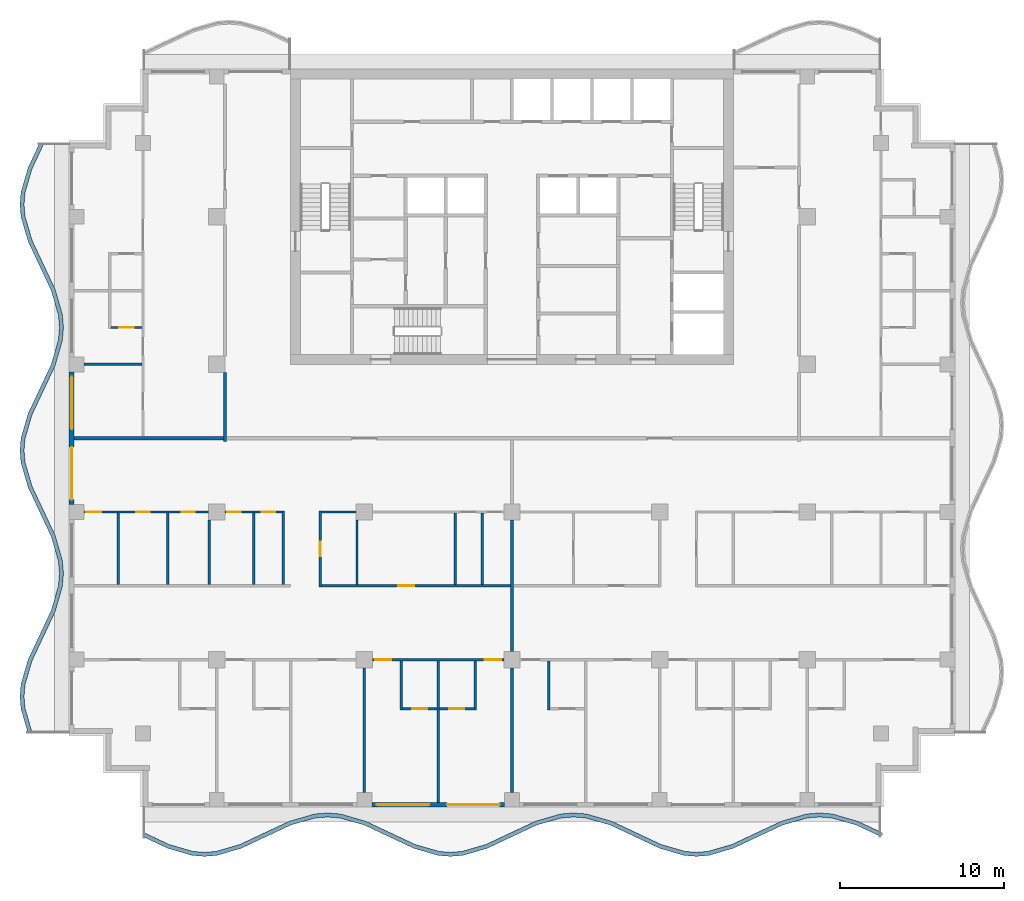
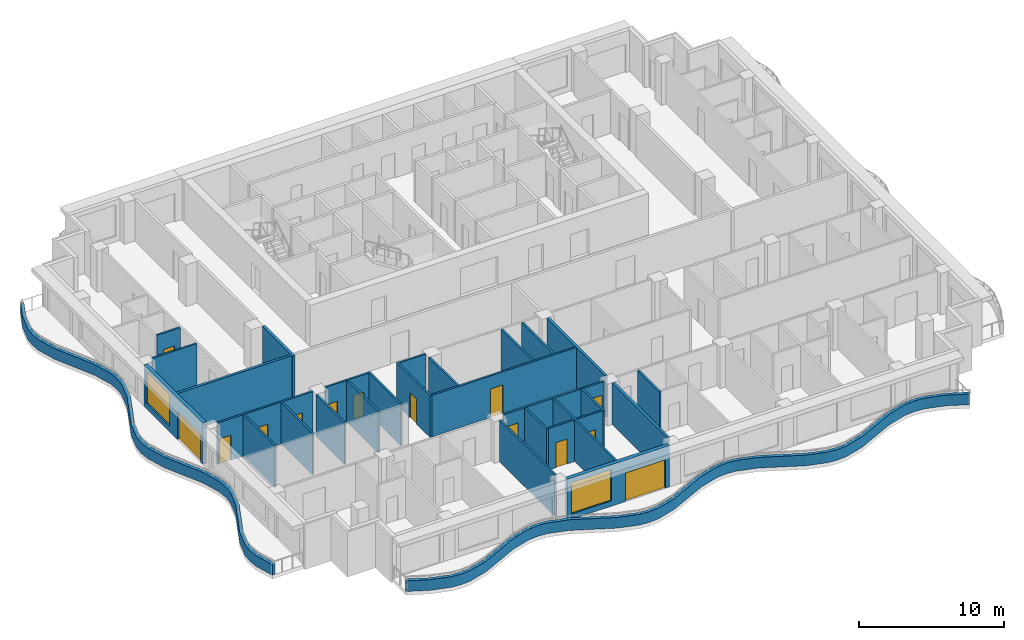
# One storey, part 2 of 11: 31 walls, 14 doors, 2 windows, 16 openings.
"""IFC4 building model written with IfcOpenShell, lengths in metres."""

from ifc_helpers import new_model, si_unit, direction, frame, frame_2d, origin, place, context, subcontext, project, spatial, polyline, rectangle, outline, extrude, material, layer, layer_set, type_object, element, fill, save


model = new_model("IFC4")

# Units and contexts
model_context = context("Model", 3, precision=1e-05, world=origin(), true_north=direction((0.0, 1.0)))
body_context = subcontext(model_context, "Body", "Model", "MODEL_VIEW")
ifc_project = project(units=[si_unit("LENGTHUNIT", "METRE"), si_unit("AREAUNIT", "SQUARE_METRE"), si_unit("VOLUMEUNIT", "CUBIC_METRE"), si_unit("PLANEANGLEUNIT", "RADIAN"), si_unit("MASSUNIT", "GRAM", prefix="KILO")], contexts=[model_context])

# Site, building, storey
site_placement = place(None, origin())
site = spatial("IfcSite", under=ifc_project, at=site_placement, CompositionType="ELEMENT")
building_placement = place(site_placement, origin())
building = spatial("IfcBuilding", under=site, at=building_placement, Name="Orbiselva Terraces", CompositionType="ELEMENT")
storey_placement = place(building_placement, frame((0.0, 0.0, 242.6)))
storey = spatial("IfcBuildingStorey", under=building, at=storey_placement, Name="L61", CompositionType="ELEMENT", Elevation=242.6)

# Walls
ifc_material_1 = material(Name="Concrete C40/50", Category="concrete")
ifc_layer_1 = layer(ifc_material_1, 0.25)
ifc_layer_set_1 = layer_set([ifc_layer_1], Name="Concrete C40/50")
wall_type_1 = type_object("IfcWallType", Name="ENV-PLANTER-250x900", PredefinedType="USERDEFINED", material=ifc_layer_set_1)
wall_1_placement = place(storey_placement, origin())
element("IfcWall", 1, at=wall_1_placement, inside=storey, type_object=wall_type_1, Name="Balcony planter L61 S", ObjectType="PLANTER", PredefinedType="USERDEFINED", context=body_context, shape_type="SweptSolid", body=[
    extrude(outline(polyline([(-22.5, -24.3), (-21.0, -25.005342), (-19.5, -25.441268), (-18.75, -25.5), (-18.0, -25.441268), (-16.5, -25.005342), (-15.0, -24.3), (-13.5, -23.594658), (-12.0, -23.158732), (-11.25, -23.1), (-10.5, -23.158732), (-9.0, -23.594658), (-7.5, -24.3), (-6.0, -25.005342), (-4.5, -25.441268), (-3.75, -25.5), (-3.0, -25.441268), (-1.5, -25.005342), (0.0, -24.3), (1.5, -23.594658), (3.0, -23.158732), (3.75, -23.1), (4.5, -23.158732), (6.0, -23.594658), (7.5, -24.3), (9.0, -25.005342), (10.5, -25.441268), (11.25, -25.5), (12.0, -25.441268), (13.5, -25.005342), (15.0, -24.3), (16.5, -23.594658), (18.0, -23.158732), (18.75, -23.1), (19.5, -23.158732), (21.0, -23.594658), (22.5, -24.3), (22.606383, -24.073764), (21.088618, -23.360069), (19.545114, -22.911499), (18.75, -22.849235), (17.954886, -22.911499), (16.411382, -23.360069), (14.893617, -24.073764), (13.411382, -24.770753), (11.954886, -25.194035), (11.25, -25.249235), (10.545114, -25.194035), (9.088618, -24.770753), (7.606383, -24.073764), (6.088618, -23.360069), (4.545114, -22.911499), (3.75, -22.849235), (2.954886, -22.911499), (1.411382, -23.360069), (-0.106383, -24.073764), (-1.588618, -24.770753), (-3.045114, -25.194035), (-3.75, -25.249235), (-4.454886, -25.194035), (-5.911382, -24.770753), (-7.393617, -24.073764), (-8.911382, -23.360069), (-10.454886, -22.911499), (-11.25, -22.849235), (-12.045114, -22.911499), (-13.588618, -23.360069), (-15.106383, -24.073764), (-16.588618, -24.770753), (-18.045114, -25.194035), (-18.75, -25.249235), (-19.454886, -25.194035), (-20.911382, -24.770753), (-22.393617, -24.073764), (-22.5, -24.3)])), origin(), (0.0, 0.0, 1.0), 0.9),
])
wall_2_placement = place(storey_placement, origin())
element("IfcWall", 2, at=wall_2_placement, inside=storey, type_object=wall_type_1, Name="Balcony planter L61 W", ObjectType="PLANTER", PredefinedType="USERDEFINED", context=body_context, shape_type="SweptSolid", body=[
    extrude(outline(polyline([(-28.8, 18.0), (-29.505342, 16.5), (-29.941268, 15.0), (-30.0, 14.25), (-29.941268, 13.5), (-29.505342, 12.0), (-28.8, 10.5), (-28.094658, 9.0), (-27.658732, 7.5), (-27.6, 6.75), (-27.658732, 6.0), (-28.094658, 4.5), (-28.8, 3.0), (-29.505342, 1.5), (-29.941268, 0.0), (-30.0, -0.75), (-29.941268, -1.5), (-29.505342, -3.0), (-28.8, -4.5), (-28.094658, -6.0), (-27.658732, -7.5), (-27.6, -8.25), (-27.658732, -9.0), (-28.094658, -10.5), (-28.8, -12.0), (-29.505342, -13.5), (-29.941268, -15.0), (-30.0, -15.75), (-29.941268, -16.5), (-29.505342, -18.0), (-29.265274, -17.930232), (-29.694035, -16.454886), (-29.749235, -15.75), (-29.694035, -15.045114), (-29.270753, -13.588618), (-28.573764, -12.106383), (-27.860069, -10.588618), (-27.411499, -9.045114), (-27.349235, -8.25), (-27.411499, -7.454886), (-27.860069, -5.911382), (-28.573764, -4.393617), (-29.270753, -2.911382), (-29.694035, -1.454886), (-29.749235, -0.75), (-29.694035, -0.045114), (-29.270753, 1.411382), (-28.573764, 2.893617), (-27.860069, 4.411382), (-27.411499, 5.954886), (-27.349235, 6.75), (-27.411499, 7.545114), (-27.860069, 9.088618), (-28.573764, 10.606383), (-29.270753, 12.088618), (-29.694035, 13.545114), (-29.749235, 14.25), (-29.694035, 14.954886), (-29.270753, 16.411382), (-28.573764, 17.893617), (-28.8, 18.0)])), origin(), (0.0, 0.0, 1.0), 0.9),
])

# Wall, openings, door, window
ifc_material_2 = material(Name="Terracotta cladding on masonry backing", Category="masonry")
ifc_layer_2 = layer(ifc_material_2, 0.3)
ifc_layer_set_2 = layer_set([ifc_layer_2], Name="Terracotta cladding on masonry backing")
wall_type_2 = type_object("IfcWallType", Name="ENV-WALL-TERRACOTTA-300", PredefinedType="SOLIDWALL", material=ifc_layer_set_2)
wall_3_placement = place(storey_placement, frame((-0.45, -22.35, 0.0), z_axis=(0.0, 0.0, 1.0), x_axis=(-1.0, 0.0, 0.0)))
wall_3 = element("IfcWall", 3, at=wall_3_placement, inside=storey, type_object=wall_type_2, Name="Facade wall L61 S", PredefinedType="SOLIDWALL", context=body_context, shape_type="SweptSolid", body=[
    extrude(rectangle(XDim=8.1, YDim=0.3, at=frame_2d((4.05, 0.0))), origin(), (0.0, 0.0, 1.0), 3.5),
])
opening_1_placement = place(wall_3_placement, frame((4.6, 0.0, 0.45)))
opening_1 = element("IfcOpeningElement", 4, at=opening_1_placement, cuts=wall_3, Name="Opening WN17", PredefinedType="OPENING", context=body_context, shape_type="SweptSolid", body=[
    extrude(rectangle(XDim=3.2, YDim=2.65, at=frame_2d((1.6, 1.325))), frame((0.0, 0.16, 0.0), z_axis=(0.0, -1.0, 0.0), x_axis=(1.0, 0.0, 0.0)), (0.0, 0.0, 1.0), 0.32),
])
opening_2_placement = place(wall_3_placement, frame((0.3, 0.0, 0.0)))
opening_2 = element("IfcOpeningElement", 5, at=opening_2_placement, cuts=wall_3, Name="Opening Z5-A-E02", PredefinedType="OPENING", context=body_context, shape_type="SweptSolid", body=[
    extrude(rectangle(XDim=3.2, YDim=2.4, at=frame_2d((1.6, 1.2))), frame((0.0, 0.16, 0.0), z_axis=(0.0, -1.0, 0.0), x_axis=(1.0, 0.0, 0.0)), (0.0, 0.0, 1.0), 0.32),
])
ifc_material_3 = material(Name="Clear low-e glazing in aluminium frame", Category="aluminium")
door_type_1 = type_object("IfcDoorType", Name="BALCONY DOOR 3200 X 2400", OperationType="DOUBLE_DOOR_SLIDING", PredefinedType="DOOR", material=ifc_material_3)
door_1_placement = place(opening_2_placement, origin())
door_1 = element("IfcDoor", 6, at=door_1_placement, inside=storey, type_object=door_type_1, Name="Z5-A-E02", OperationType="SINGLE_SWING_LEFT", OverallHeight=2.4, OverallWidth=3.2, PredefinedType="DOOR", context=body_context, shape_type="SweptSolid", body=[
    extrude(rectangle(XDim=3.2, YDim=2.4, at=frame_2d((1.6, 1.2))), frame((0.0, 0.025, 0.0), z_axis=(0.0, -1.0, 0.0), x_axis=(1.0, 0.0, 0.0)), (0.0, 0.0, 1.0), 0.05),
])
fill(opening_2, door_1)
window_type = type_object("IfcWindowType", Name="WINDOW 3200 X 2650 S450", PartitioningType="TRIPLE_PANEL_VERTICAL", PredefinedType="WINDOW", material=ifc_material_3)
window_1_placement = place(opening_1_placement, origin())
window_1 = element("IfcWindow", 7, at=window_1_placement, inside=storey, type_object=window_type, Name="Window L61 S", OverallHeight=2.65, OverallWidth=3.2, PartitioningType="SINGLE_PANEL", PredefinedType="WINDOW", context=body_context, shape_type="SweptSolid", body=[
    extrude(rectangle(XDim=3.2, YDim=2.65, at=frame_2d((1.6, 1.325))), frame((0.0, 0.03, 0.0), z_axis=(0.0, -1.0, 0.0), x_axis=(1.0, 0.0, 0.0)), (0.0, 0.0, 1.0), 0.06),
])
fill(opening_1, window_1)

wall_4_placement = place(storey_placement, frame((-26.85, -4.05, 0.0), z_axis=(0.0, 0.0, 1.0), x_axis=(0.0, 1.0, 0.0)))
wall_4 = element("IfcWall", 8, at=wall_4_placement, inside=storey, type_object=wall_type_2, Name="Facade wall L61 W", PredefinedType="SOLIDWALL", context=body_context, shape_type="SweptSolid", body=[
    extrude(rectangle(XDim=8.1, YDim=0.3, at=frame_2d((4.05, 0.0))), origin(), (0.0, 0.0, 1.0), 3.5),
])
opening_3_placement = place(wall_4_placement, frame((4.6, 0.0, 0.45)))
opening_3 = element("IfcOpeningElement", 9, at=opening_3_placement, cuts=wall_4, Name="Opening WN17", PredefinedType="OPENING", context=body_context, shape_type="SweptSolid", body=[
    extrude(rectangle(XDim=3.2, YDim=2.65, at=frame_2d((1.6, 1.325))), frame((0.0, 0.16, 0.0), z_axis=(0.0, -1.0, 0.0), x_axis=(1.0, 0.0, 0.0)), (0.0, 0.0, 1.0), 0.32),
])
opening_4_placement = place(wall_4_placement, frame((0.3, 0.0, 0.0)))
opening_4 = element("IfcOpeningElement", 10, at=opening_4_placement, cuts=wall_4, Name="Opening Z5-A-E11", PredefinedType="OPENING", context=body_context, shape_type="SweptSolid", body=[
    extrude(rectangle(XDim=3.2, YDim=2.4, at=frame_2d((1.6, 1.2))), frame((0.0, 0.16, 0.0), z_axis=(0.0, -1.0, 0.0), x_axis=(1.0, 0.0, 0.0)), (0.0, 0.0, 1.0), 0.32),
])
door_2_placement = place(opening_4_placement, origin())
door_2 = element("IfcDoor", 11, at=door_2_placement, inside=storey, type_object=door_type_1, Name="Z5-A-E11", OperationType="SINGLE_SWING_LEFT", OverallHeight=2.4, OverallWidth=3.2, PredefinedType="DOOR", context=body_context, shape_type="SweptSolid", body=[
    extrude(rectangle(XDim=3.2, YDim=2.4, at=frame_2d((1.6, 1.2))), frame((0.0, 0.025, 0.0), z_axis=(0.0, -1.0, 0.0), x_axis=(1.0, 0.0, 0.0)), (0.0, 0.0, 1.0), 0.05),
])
fill(opening_4, door_2)
window_2_placement = place(opening_3_placement, origin())
window_2 = element("IfcWindow", 12, at=window_2_placement, inside=storey, type_object=window_type, Name="Window L61 W", OverallHeight=2.65, OverallWidth=3.2, PartitioningType="SINGLE_PANEL", PredefinedType="WINDOW", context=body_context, shape_type="SweptSolid", body=[
    extrude(rectangle(XDim=3.2, YDim=2.65, at=frame_2d((1.6, 1.325))), frame((0.0, 0.03, 0.0), z_axis=(0.0, -1.0, 0.0), x_axis=(1.0, 0.0, 0.0)), (0.0, 0.0, 1.0), 0.06),
])
fill(opening_3, window_2)

# Wall
ifc_material_4 = material(Name="Plasterboard on steel stud partition", Category="steel")
ifc_layer_3 = layer(ifc_material_4, 0.2)
ifc_layer_set_3 = layer_set([ifc_layer_3], Name="Plasterboard on steel stud partition")
wall_type_3 = type_object("IfcWallType", Name="UNIT-ENTRANCE-WALL-200", PredefinedType="PARTITIONING", material=ifc_layer_set_3)
wall_5_placement = place(storey_placement, frame((-17.5, -0.2, 0.0), z_axis=(0.0, 0.0, 1.0), x_axis=(0.0, 1.0, 0.0)))
element("IfcWall", 13, at=wall_5_placement, inside=storey, type_object=wall_type_3, Name="PARTITION L61-050", PredefinedType="PARTITIONING", context=body_context, shape_type="SweptSolid", body=[
    extrude(rectangle(XDim=4.2, YDim=0.2, at=frame_2d((2.1, 0.0))), origin(), (0.0, 0.0, 1.0), 3.5),
])

# Wall, opening, door
ifc_layer_4 = layer(ifc_material_4, 0.15)
ifc_layer_set_4 = layer_set([ifc_layer_4], Name="Plasterboard on steel stud partition")
wall_type_4 = type_object("IfcWallType", Name="UNIT-PARTITION-150", PredefinedType="PARTITIONING", material=ifc_layer_set_4)
wall_6_placement = place(storey_placement, frame((-6.675, -16.5, 0.0), z_axis=(0.0, 0.0, 1.0), x_axis=(1.0, 0.0, 0.0)))
wall_6 = element("IfcWall", 14, at=wall_6_placement, inside=storey, type_object=wall_type_4, Name="PARTITION L61-003", PredefinedType="PARTITIONING", context=body_context, shape_type="SweptSolid", body=[
    extrude(rectangle(XDim=2.1, YDim=0.15, at=frame_2d((1.05, 0.0))), origin(), (0.0, 0.0, 1.0), 3.5),
])
opening_5_placement = place(wall_6_placement, frame((0.6, 0.0, 0.0)))
opening_5 = element("IfcOpeningElement", 15, at=opening_5_placement, cuts=wall_6, Name="Opening Z5-A-29", PredefinedType="OPENING", context=body_context, shape_type="SweptSolid", body=[
    extrude(rectangle(XDim=0.9, YDim=2.1, at=frame_2d((0.45, 1.05))), frame((0.0, 0.085, 0.0), z_axis=(0.0, -1.0, 0.0), x_axis=(1.0, 0.0, 0.0)), (0.0, 0.0, 1.0), 0.17),
])
ifc_material_5 = material(Name="Painted timber door leaf", Category="wood")
door_type_2 = type_object("IfcDoorType", Name="BATH DOOR 900", OperationType="NOTDEFINED", PredefinedType="DOOR", material=ifc_material_5)
door_3_placement = place(opening_5_placement, origin())
door_3 = element("IfcDoor", 16, at=door_3_placement, inside=storey, type_object=door_type_2, Name="Z5-A-29", OperationType="SINGLE_SWING_LEFT", OverallHeight=2.1, OverallWidth=0.9, PredefinedType="DOOR", context=body_context, shape_type="SweptSolid", body=[
    extrude(rectangle(XDim=0.9, YDim=2.1, at=frame_2d((0.45, 1.05))), frame((0.0, 0.025, 0.0), z_axis=(0.0, -1.0, 0.0), x_axis=(1.0, 0.0, 0.0)), (0.0, 0.0, 1.0), 0.05),
])
fill(opening_5, door_3)

wall_7_placement = place(storey_placement, frame((-4.425, -16.5, 0.0), z_axis=(0.0, 0.0, 1.0), x_axis=(1.0, 0.0, 0.0)))
wall_7 = element("IfcWall", 17, at=wall_7_placement, inside=storey, type_object=wall_type_4, Name="PARTITION L61-004", PredefinedType="PARTITIONING", context=body_context, shape_type="SweptSolid", body=[
    extrude(rectangle(XDim=2.1, YDim=0.15, at=frame_2d((1.05, 0.0))), origin(), (0.0, 0.0, 1.0), 3.5),
])
opening_6_placement = place(wall_7_placement, frame((0.6, 0.0, 0.0)))
opening_6 = element("IfcOpeningElement", 18, at=opening_6_placement, cuts=wall_7, Name="Opening Z5-A-27", PredefinedType="OPENING", context=body_context, shape_type="SweptSolid", body=[
    extrude(rectangle(XDim=0.9, YDim=2.1, at=frame_2d((0.45, 1.05))), frame((0.0, 0.085, 0.0), z_axis=(0.0, -1.0, 0.0), x_axis=(1.0, 0.0, 0.0)), (0.0, 0.0, 1.0), 0.17),
])
door_4_placement = place(opening_6_placement, origin())
door_4 = element("IfcDoor", 19, at=door_4_placement, inside=storey, type_object=door_type_2, Name="Z5-A-27", OperationType="SINGLE_SWING_RIGHT", OverallHeight=2.1, OverallWidth=0.9, PredefinedType="DOOR", context=body_context, shape_type="SweptSolid", body=[
    extrude(rectangle(XDim=0.9, YDim=2.1, at=frame_2d((0.45, 1.05))), frame((0.0, 0.025, 0.0), z_axis=(0.0, -1.0, 0.0), x_axis=(1.0, 0.0, 0.0)), (0.0, 0.0, 1.0), 0.05),
])
fill(opening_6, door_4)

# Wall, openings, doors
wall_8_placement = place(storey_placement, frame((-0.5, -13.5, 0.0), z_axis=(0.0, 0.0, 1.0), x_axis=(-1.0, 0.0, 0.0)))
wall_8 = element("IfcWall", 20, at=wall_8_placement, inside=storey, type_object=wall_type_4, Name="PARTITION L61-011", PredefinedType="PARTITIONING", context=body_context, shape_type="SweptSolid", body=[
    extrude(rectangle(XDim=8.0, YDim=0.15, at=frame_2d((4.0, 0.0))), origin(), (0.0, 0.0, 1.0), 3.5),
])
opening_7_placement = place(wall_8_placement, frame((0.15, 0.0, 0.0)))
opening_7 = element("IfcOpeningElement", 21, at=opening_7_placement, cuts=wall_8, Name="Opening Z5-A-26", PredefinedType="OPENING", context=body_context, shape_type="SweptSolid", body=[
    extrude(rectangle(XDim=1.0, YDim=2.4, at=frame_2d((0.5, 1.2))), frame((0.0, 0.085, 0.0), z_axis=(0.0, -1.0, 0.0), x_axis=(1.0, 0.0, 0.0)), (0.0, 0.0, 1.0), 0.17),
])
opening_8_placement = place(wall_8_placement, frame((6.85, 0.0, 0.0)))
opening_8 = element("IfcOpeningElement", 22, at=opening_8_placement, cuts=wall_8, Name="Opening Z5-A-28", PredefinedType="OPENING", context=body_context, shape_type="SweptSolid", body=[
    extrude(rectangle(XDim=1.0, YDim=2.4, at=frame_2d((0.5, 1.2))), frame((0.0, 0.085, 0.0), z_axis=(0.0, -1.0, 0.0), x_axis=(1.0, 0.0, 0.0)), (0.0, 0.0, 1.0), 0.17),
])
door_type_3 = type_object("IfcDoorType", Name="ROOM DOOR 1000", OperationType="NOTDEFINED", PredefinedType="DOOR", material=ifc_material_5)
door_5_placement = place(opening_7_placement, origin())
door_5 = element("IfcDoor", 23, at=door_5_placement, inside=storey, type_object=door_type_3, Name="Z5-A-26", OperationType="SINGLE_SWING_LEFT", OverallHeight=2.4, OverallWidth=1.0, PredefinedType="DOOR", context=body_context, shape_type="SweptSolid", body=[
    extrude(rectangle(XDim=1.0, YDim=2.4, at=frame_2d((0.5, 1.2))), frame((0.0, 0.025, 0.0), z_axis=(0.0, -1.0, 0.0), x_axis=(1.0, 0.0, 0.0)), (0.0, 0.0, 1.0), 0.05),
])
fill(opening_7, door_5)
door_6_placement = place(opening_8_placement, origin())
door_6 = element("IfcDoor", 24, at=door_6_placement, inside=storey, type_object=door_type_3, Name="Z5-A-28", OperationType="SINGLE_SWING_RIGHT", OverallHeight=2.4, OverallWidth=1.0, PredefinedType="DOOR", context=body_context, shape_type="SweptSolid", body=[
    extrude(rectangle(XDim=1.0, YDim=2.4, at=frame_2d((0.5, 1.2))), frame((0.0, 0.025, 0.0), z_axis=(0.0, -1.0, 0.0), x_axis=(1.0, 0.0, 0.0)), (0.0, 0.0, 1.0), 0.05),
])
fill(opening_8, door_6)

# Wall, opening, door
wall_9_placement = place(storey_placement, frame((-11.625, -9.0, 0.0), z_axis=(0.0, 0.0, 1.0), x_axis=(1.0, 0.0, 0.0)))
wall_9 = element("IfcWall", 25, at=wall_9_placement, inside=storey, type_object=wall_type_4, Name="PARTITION L61-016", PredefinedType="PARTITIONING", context=body_context, shape_type="SweptSolid", body=[
    extrude(rectangle(XDim=11.525, YDim=0.15, at=frame_2d((5.7625, 0.0))), origin(), (0.0, 0.0, 1.0), 3.5),
])
opening_9_placement = place(wall_9_placement, frame((4.675, 0.0, 0.0)))
opening_9 = element("IfcOpeningElement", 26, at=opening_9_placement, cuts=wall_9, Name="Opening Z5-A-19", PredefinedType="OPENING", context=body_context, shape_type="SweptSolid", body=[
    extrude(rectangle(XDim=1.0, YDim=2.4, at=frame_2d((0.5, 1.2))), frame((0.0, 0.085, 0.0), z_axis=(0.0, -1.0, 0.0), x_axis=(1.0, 0.0, 0.0)), (0.0, 0.0, 1.0), 0.17),
])
door_7_placement = place(opening_9_placement, origin())
door_7 = element("IfcDoor", 27, at=door_7_placement, inside=storey, type_object=door_type_3, Name="Z5-A-19", OperationType="SINGLE_SWING_LEFT", OverallHeight=2.4, OverallWidth=1.0, PredefinedType="DOOR", context=body_context, shape_type="SweptSolid", body=[
    extrude(rectangle(XDim=1.0, YDim=2.4, at=frame_2d((0.5, 1.2))), frame((0.0, 0.025, 0.0), z_axis=(0.0, -1.0, 0.0), x_axis=(1.0, 0.0, 0.0)), (0.0, 0.0, 1.0), 0.05),
])
fill(opening_9, door_7)

# Wall, openings, doors
wall_10_placement = place(storey_placement, frame((-18.5, -4.5, 0.0), z_axis=(0.0, 0.0, 1.0), x_axis=(-1.0, 0.0, 0.0)))
wall_10 = element("IfcWall", 28, at=wall_10_placement, inside=storey, type_object=wall_type_4, Name="PARTITION L61-019", PredefinedType="PARTITIONING", context=body_context, shape_type="SweptSolid", body=[
    extrude(rectangle(XDim=7.6, YDim=0.15, at=frame_2d((3.8, 0.0))), origin(), (0.0, 0.0, 1.0), 3.5),
])
opening_10_placement = place(wall_10_placement, frame((0.85, 0.0, 0.0)))
opening_10 = element("IfcOpeningElement", 29, at=opening_10_placement, cuts=wall_10, Name="Opening Z5-A-23", PredefinedType="OPENING", context=body_context, shape_type="SweptSolid", body=[
    extrude(rectangle(XDim=0.8, YDim=2.0, at=frame_2d((0.4, 1.0))), frame((0.0, 0.085, 0.0), z_axis=(0.0, -1.0, 0.0), x_axis=(1.0, 0.0, 0.0)), (0.0, 0.0, 1.0), 0.17),
])
opening_11_placement = place(wall_10_placement, frame((3.6, 0.0, 0.0)))
opening_11 = element("IfcOpeningElement", 30, at=opening_11_placement, cuts=wall_10, Name="Opening Z5-A-24", PredefinedType="OPENING", context=body_context, shape_type="SweptSolid", body=[
    extrude(rectangle(XDim=0.8, YDim=2.0, at=frame_2d((0.4, 1.0))), frame((0.0, 0.085, 0.0), z_axis=(0.0, -1.0, 0.0), x_axis=(1.0, 0.0, 0.0)), (0.0, 0.0, 1.0), 0.17),
])
opening_12_placement = place(wall_10_placement, frame((6.55, 0.0, 0.0)))
opening_12 = element("IfcOpeningElement", 31, at=opening_12_placement, cuts=wall_10, Name="Opening Z5-A-25", PredefinedType="OPENING", context=body_context, shape_type="SweptSolid", body=[
    extrude(rectangle(XDim=0.9, YDim=2.1, at=frame_2d((0.45, 1.05))), frame((0.0, 0.085, 0.0), z_axis=(0.0, -1.0, 0.0), x_axis=(1.0, 0.0, 0.0)), (0.0, 0.0, 1.0), 0.17),
])
door_type_4 = type_object("IfcDoorType", Name="SERVICE DOOR 900", OperationType="NOTDEFINED", PredefinedType="DOOR", material=ifc_material_5)
door_8_placement = place(opening_12_placement, origin())
door_8 = element("IfcDoor", 32, at=door_8_placement, inside=storey, type_object=door_type_4, Name="Z5-A-25", OperationType="SINGLE_SWING_RIGHT", OverallHeight=2.1, OverallWidth=0.9, PredefinedType="DOOR", context=body_context, shape_type="SweptSolid", body=[
    extrude(rectangle(XDim=0.9, YDim=2.1, at=frame_2d((0.45, 1.05))), frame((0.0, 0.025, 0.0), z_axis=(0.0, -1.0, 0.0), x_axis=(1.0, 0.0, 0.0)), (0.0, 0.0, 1.0), 0.05),
])
fill(opening_12, door_8)
door_type_5 = type_object("IfcDoorType", Name="STORE DOOR 800", OperationType="NOTDEFINED", PredefinedType="DOOR", material=ifc_material_5)
door_9_placement = place(opening_10_placement, origin())
door_9 = element("IfcDoor", 33, at=door_9_placement, inside=storey, type_object=door_type_5, Name="Z5-A-23", OperationType="SINGLE_SWING_LEFT", OverallHeight=2.0, OverallWidth=0.8, PredefinedType="DOOR", context=body_context, shape_type="SweptSolid", body=[
    extrude(rectangle(XDim=0.8, YDim=2.0, at=frame_2d((0.4, 1.0))), frame((0.0, 0.025, 0.0), z_axis=(0.0, -1.0, 0.0), x_axis=(1.0, 0.0, 0.0)), (0.0, 0.0, 1.0), 0.05),
])
fill(opening_10, door_9)
door_10_placement = place(opening_11_placement, origin())
door_10 = element("IfcDoor", 34, at=door_10_placement, inside=storey, type_object=door_type_5, Name="Z5-A-24", OperationType="SINGLE_SWING_RIGHT", OverallHeight=2.0, OverallWidth=0.8, PredefinedType="DOOR", context=body_context, shape_type="SweptSolid", body=[
    extrude(rectangle(XDim=0.8, YDim=2.0, at=frame_2d((0.4, 1.0))), frame((0.0, 0.025, 0.0), z_axis=(0.0, -1.0, 0.0), x_axis=(1.0, 0.0, 0.0)), (0.0, 0.0, 1.0), 0.05),
])
fill(opening_11, door_10)

wall_11_placement = place(storey_placement, frame((-14.025, -4.5, 0.0), z_axis=(0.0, 0.0, 1.0), x_axis=(-1.0, 0.0, 0.0)))
wall_11 = element("IfcWall", 35, at=wall_11_placement, inside=storey, type_object=wall_type_4, Name="PARTITION L61-020", PredefinedType="PARTITIONING", context=body_context, shape_type="SweptSolid", body=[
    extrude(rectangle(XDim=3.475, YDim=0.15, at=frame_2d((1.7375, 0.0))), origin(), (0.0, 0.0, 1.0), 3.5),
])
opening_13_placement = place(wall_11_placement, frame((0.425, 0.0, 0.0)))
opening_13 = element("IfcOpeningElement", 36, at=opening_13_placement, cuts=wall_11, Name="Opening Z5-A-21", PredefinedType="OPENING", context=body_context, shape_type="SweptSolid", body=[
    extrude(rectangle(XDim=0.8, YDim=2.0, at=frame_2d((0.4, 1.0))), frame((0.0, 0.085, 0.0), z_axis=(0.0, -1.0, 0.0), x_axis=(1.0, 0.0, 0.0)), (0.0, 0.0, 1.0), 0.17),
])
opening_14_placement = place(wall_11_placement, frame((2.525, 0.0, 0.0)))
opening_14 = element("IfcOpeningElement", 37, at=opening_14_placement, cuts=wall_11, Name="Opening Z5-A-22", PredefinedType="OPENING", context=body_context, shape_type="SweptSolid", body=[
    extrude(rectangle(XDim=0.8, YDim=2.0, at=frame_2d((0.4, 1.0))), frame((0.0, 0.085, 0.0), z_axis=(0.0, -1.0, 0.0), x_axis=(1.0, 0.0, 0.0)), (0.0, 0.0, 1.0), 0.17),
])
door_11_placement = place(opening_13_placement, origin())
door_11 = element("IfcDoor", 38, at=door_11_placement, inside=storey, type_object=door_type_5, Name="Z5-A-21", OperationType="SINGLE_SWING_LEFT", OverallHeight=2.0, OverallWidth=0.8, PredefinedType="DOOR", context=body_context, shape_type="SweptSolid", body=[
    extrude(rectangle(XDim=0.8, YDim=2.0, at=frame_2d((0.4, 1.0))), frame((0.0, 0.025, 0.0), z_axis=(0.0, -1.0, 0.0), x_axis=(1.0, 0.0, 0.0)), (0.0, 0.0, 1.0), 0.05),
])
fill(opening_13, door_11)
door_12_placement = place(opening_14_placement, origin())
door_12 = element("IfcDoor", 39, at=door_12_placement, inside=storey, type_object=door_type_5, Name="Z5-A-22", OperationType="SINGLE_SWING_RIGHT", OverallHeight=2.0, OverallWidth=0.8, PredefinedType="DOOR", context=body_context, shape_type="SweptSolid", body=[
    extrude(rectangle(XDim=0.8, YDim=2.0, at=frame_2d((0.4, 1.0))), frame((0.0, 0.025, 0.0), z_axis=(0.0, -1.0, 0.0), x_axis=(1.0, 0.0, 0.0)), (0.0, 0.0, 1.0), 0.05),
])
fill(opening_14, door_12)

# Walls
wall_12_placement = place(storey_placement, frame((-11.625, -4.5, 0.0), z_axis=(0.0, 0.0, 1.0), x_axis=(1.0, 0.0, 0.0)))
element("IfcWall", 40, at=wall_12_placement, inside=storey, type_object=wall_type_4, Name="PARTITION L61-021", PredefinedType="PARTITIONING", context=body_context, shape_type="SweptSolid", body=[
    extrude(rectangle(XDim=2.125, YDim=0.15, at=frame_2d((1.0625, 0.0))), origin(), (0.0, 0.0, 1.0), 3.5),
])
wall_13_placement = place(storey_placement, frame((-26.1, 4.5, 0.0), z_axis=(0.0, 0.0, 1.0), x_axis=(1.0, 0.0, 0.0)))
element("IfcWall", 41, at=wall_13_placement, inside=storey, type_object=wall_type_4, Name="PARTITION L61-029", PredefinedType="PARTITIONING", context=body_context, shape_type="SweptSolid", body=[
    extrude(rectangle(XDim=3.525, YDim=0.15, at=frame_2d((1.7625, 0.0))), origin(), (0.0, 0.0, 1.0), 3.5),
])

# Wall, opening, door
wall_14_placement = place(storey_placement, frame((-24.45, 6.75, 0.0), z_axis=(0.0, 0.0, 1.0), x_axis=(1.0, 0.0, 0.0)))
wall_14 = element("IfcWall", 42, at=wall_14_placement, inside=storey, type_object=wall_type_4, Name="PARTITION L61-031", PredefinedType="PARTITIONING", context=body_context, shape_type="SweptSolid", body=[
    extrude(rectangle(XDim=1.875, YDim=0.15, at=frame_2d((0.9375, 0.0))), origin(), (0.0, 0.0, 1.0), 3.5),
])
opening_15_placement = place(wall_14_placement, frame((0.5, 0.0, 0.0)))
opening_15 = element("IfcOpeningElement", 43, at=opening_15_placement, cuts=wall_14, Name="Opening Z5-A-05", PredefinedType="OPENING", context=body_context, shape_type="SweptSolid", body=[
    extrude(rectangle(XDim=0.9, YDim=2.1, at=frame_2d((0.45, 1.05))), frame((0.0, 0.085, 0.0), z_axis=(0.0, -1.0, 0.0), x_axis=(1.0, 0.0, 0.0)), (0.0, 0.0, 1.0), 0.17),
])
door_13_placement = place(opening_15_placement, origin())
door_13 = element("IfcDoor", 44, at=door_13_placement, inside=storey, type_object=door_type_2, Name="Z5-A-05", OperationType="SINGLE_SWING_RIGHT", OverallHeight=2.1, OverallWidth=0.9, PredefinedType="DOOR", context=body_context, shape_type="SweptSolid", body=[
    extrude(rectangle(XDim=0.9, YDim=2.1, at=frame_2d((0.45, 1.05))), frame((0.0, 0.025, 0.0), z_axis=(0.0, -1.0, 0.0), x_axis=(1.0, 0.0, 0.0)), (0.0, 0.0, 1.0), 0.05),
])
fill(opening_15, door_13)

# Walls
for number, where, z_axis, x_axis, name in (
    (45, (-24.0, -8.925, 0.0), (0.0, 0.0, 1.0), (0.0, 1.0, 0.0), "PARTITION L61-043"),
    (46, (-21.0, -8.925, 0.0), (0.0, 0.0, 1.0), (0.0, 1.0, 0.0), "PARTITION L61-046"),
):
    element("IfcWall", number, at=place(storey_placement, frame(where, z_axis=z_axis, x_axis=x_axis)), inside=storey, type_object=wall_type_4, Name=name, PredefinedType="PARTITIONING", context=body_context, shape_type="SweptSolid", body=[
        extrude(rectangle(XDim=4.35, YDim=0.15, at=frame_2d((2.175, 0.0))), origin(), (0.0, 0.0, 1.0), 3.5),
    ])
wall_15_placement = place(storey_placement, frame((-18.45, -8.925, 0.0), z_axis=(0.0, 0.0, 1.0), x_axis=(0.0, 1.0, 0.0)))
element("IfcWall", 47, at=wall_15_placement, inside=storey, type_object=wall_type_4, Name="PARTITION L61-048", PredefinedType="PARTITIONING", context=body_context, shape_type="SweptSolid", body=[
    extrude(rectangle(XDim=3.925, YDim=0.15, at=frame_2d((1.9625, 0.0))), origin(), (0.0, 0.0, 1.0), 3.5),
])
wall_16_placement = place(storey_placement, frame((-15.75, -8.925, 0.0), z_axis=(0.0, 0.0, 1.0), x_axis=(0.0, 1.0, 0.0)))
element("IfcWall", 48, at=wall_16_placement, inside=storey, type_object=wall_type_4, Name="PARTITION L61-054", PredefinedType="PARTITIONING", context=body_context, shape_type="SweptSolid", body=[
    extrude(rectangle(XDim=4.35, YDim=0.15, at=frame_2d((2.175, 0.0))), origin(), (0.0, 0.0, 1.0), 3.5),
])
wall_17_placement = place(storey_placement, frame((-13.95, -8.925, 0.0), z_axis=(0.0, 0.0, 1.0), x_axis=(0.0, 1.0, 0.0)))
element("IfcWall", 49, at=wall_17_placement, inside=storey, type_object=wall_type_4, Name="PARTITION L61-055", PredefinedType="PARTITIONING", context=body_context, shape_type="SweptSolid", body=[
    extrude(rectangle(XDim=4.5, YDim=0.15, at=frame_2d((2.25, 0.0))), origin(), (0.0, 0.0, 1.0), 3.5),
])

# Wall, opening, door
wall_18_placement = place(storey_placement, frame((-11.7, -4.425, 0.0), z_axis=(0.0, 0.0, 1.0), x_axis=(0.0, -1.0, 0.0)))
wall_18 = element("IfcWall", 50, at=wall_18_placement, inside=storey, type_object=wall_type_4, Name="PARTITION L61-057", PredefinedType="PARTITIONING", context=body_context, shape_type="SweptSolid", body=[
    extrude(rectangle(XDim=4.65, YDim=0.15, at=frame_2d((2.325, 0.0))), origin(), (0.0, 0.0, 1.0), 3.5),
])
opening_16_placement = place(wall_18_placement, frame((1.875, 0.0, 0.0)))
opening_16 = element("IfcOpeningElement", 51, at=opening_16_placement, cuts=wall_18, Name="Opening Z5-A-20", PredefinedType="OPENING", context=body_context, shape_type="SweptSolid", body=[
    extrude(rectangle(XDim=0.9, YDim=2.1, at=frame_2d((0.45, 1.05))), frame((0.0, 0.085, 0.0), z_axis=(0.0, -1.0, 0.0), x_axis=(1.0, 0.0, 0.0)), (0.0, 0.0, 1.0), 0.17),
])
door_14_placement = place(opening_16_placement, origin())
door_14 = element("IfcDoor", 52, at=door_14_placement, inside=storey, type_object=door_type_2, Name="Z5-A-20", OperationType="SINGLE_SWING_RIGHT", OverallHeight=2.1, OverallWidth=0.9, PredefinedType="DOOR", context=body_context, shape_type="SweptSolid", body=[
    extrude(rectangle(XDim=0.9, YDim=2.1, at=frame_2d((0.45, 1.05))), frame((0.0, 0.025, 0.0), z_axis=(0.0, -1.0, 0.0), x_axis=(1.0, 0.0, 0.0)), (0.0, 0.0, 1.0), 0.05),
])
fill(opening_16, door_14)

# Walls
wall_19_placement = place(storey_placement, frame((-9.45, -8.925, 0.0), z_axis=(0.0, 0.0, 1.0), x_axis=(0.0, 1.0, 0.0)))
element("IfcWall", 53, at=wall_19_placement, inside=storey, type_object=wall_type_4, Name="PARTITION L61-058", PredefinedType="PARTITIONING", context=body_context, shape_type="SweptSolid", body=[
    extrude(rectangle(XDim=3.925, YDim=0.15, at=frame_2d((1.9625, 0.0))), origin(), (0.0, 0.0, 1.0), 3.5),
])
wall_20_placement = place(storey_placement, frame((-9.0, -21.6, 0.0), z_axis=(0.0, 0.0, 1.0), x_axis=(0.0, 1.0, 0.0)))
element("IfcWall", 54, at=wall_20_placement, inside=storey, type_object=wall_type_4, Name="PARTITION L61-059", PredefinedType="PARTITIONING", context=body_context, shape_type="SweptSolid", body=[
    extrude(rectangle(XDim=7.6, YDim=0.15, at=frame_2d((3.8, 0.0))), origin(), (0.0, 0.0, 1.0), 3.5),
])
wall_21_placement = place(storey_placement, frame((-6.75, -16.575, 0.0), z_axis=(0.0, 0.0, 1.0), x_axis=(0.0, 1.0, 0.0)))
element("IfcWall", 55, at=wall_21_placement, inside=storey, type_object=wall_type_4, Name="PARTITION L61-060", PredefinedType="PARTITIONING", context=body_context, shape_type="SweptSolid", body=[
    extrude(rectangle(XDim=3.0, YDim=0.15, at=frame_2d((1.5, 0.0))), origin(), (0.0, 0.0, 1.0), 3.5),
])
wall_22_placement = place(storey_placement, frame((-4.5, -22.2, 0.0), z_axis=(0.0, 0.0, 1.0), x_axis=(0.0, 1.0, 0.0)))
element("IfcWall", 56, at=wall_22_placement, inside=storey, type_object=wall_type_4, Name="PARTITION L61-061", PredefinedType="PARTITIONING", context=body_context, shape_type="SweptSolid", body=[
    extrude(rectangle(XDim=8.625, YDim=0.15, at=frame_2d((4.3125, 0.0))), origin(), (0.0, 0.0, 1.0), 3.5),
])
wall_23_placement = place(storey_placement, frame((-3.45, -8.925, 0.0), z_axis=(0.0, 0.0, 1.0), x_axis=(0.0, 1.0, 0.0)))
element("IfcWall", 57, at=wall_23_placement, inside=storey, type_object=wall_type_4, Name="PARTITION L61-062", PredefinedType="PARTITIONING", context=body_context, shape_type="SweptSolid", body=[
    extrude(rectangle(XDim=4.35, YDim=0.15, at=frame_2d((2.175, 0.0))), origin(), (0.0, 0.0, 1.0), 3.5),
])
wall_24_placement = place(storey_placement, frame((-2.25, -16.575, 0.0), z_axis=(0.0, 0.0, 1.0), x_axis=(0.0, 1.0, 0.0)))
element("IfcWall", 58, at=wall_24_placement, inside=storey, type_object=wall_type_4, Name="PARTITION L61-063", PredefinedType="PARTITIONING", context=body_context, shape_type="SweptSolid", body=[
    extrude(rectangle(XDim=3.0, YDim=0.15, at=frame_2d((1.5, 0.0))), origin(), (0.0, 0.0, 1.0), 3.5),
])
wall_25_placement = place(storey_placement, frame((-1.8, -8.925, 0.0), z_axis=(0.0, 0.0, 1.0), x_axis=(0.0, 1.0, 0.0)))
element("IfcWall", 59, at=wall_25_placement, inside=storey, type_object=wall_type_4, Name="PARTITION L61-064", PredefinedType="PARTITIONING", context=body_context, shape_type="SweptSolid", body=[
    extrude(rectangle(XDim=4.35, YDim=0.15, at=frame_2d((2.175, 0.0))), origin(), (0.0, 0.0, 1.0), 3.5),
])
wall_26_placement = place(storey_placement, frame((2.25, -16.575, 0.0), z_axis=(0.0, 0.0, 1.0), x_axis=(0.0, 1.0, 0.0)))
element("IfcWall", 60, at=wall_26_placement, inside=storey, type_object=wall_type_4, Name="PARTITION L61-068", PredefinedType="PARTITIONING", context=body_context, shape_type="SweptSolid", body=[
    extrude(rectangle(XDim=3.0, YDim=0.15, at=frame_2d((1.5, 0.0))), origin(), (0.0, 0.0, 1.0), 3.5),
])
ifc_layer_5 = layer(ifc_material_4, 0.2)
ifc_layer_set_5 = layer_set([ifc_layer_5], Name="Plasterboard on steel stud partition")
wall_type_5 = type_object("IfcWallType", Name="UNIT-PARTY-WALL-200", PredefinedType="PARTITIONING", material=ifc_layer_set_5)
wall_27_placement = place(storey_placement, frame((-26.7, 0.0, 0.0), z_axis=(0.0, 0.0, 1.0), x_axis=(1.0, 0.0, 0.0)))
element("IfcWall", 61, at=wall_27_placement, inside=storey, type_object=wall_type_5, Name="PARTITION L61-027", PredefinedType="PARTITIONING", context=body_context, shape_type="SweptSolid", body=[
    extrude(rectangle(XDim=9.1, YDim=0.2, at=frame_2d((4.55, 0.0))), origin(), (0.0, 0.0, 1.0), 3.5),
])
wall_28_placement = place(storey_placement, frame((0.0, -21.6, 0.0), z_axis=(0.0, 0.0, 1.0), x_axis=(0.0, 1.0, 0.0)))
element("IfcWall", 62, at=wall_28_placement, inside=storey, type_object=wall_type_5, Name="PARTITION L61-065", PredefinedType="PARTITIONING", context=body_context, shape_type="SweptSolid", body=[
    extrude(rectangle(XDim=7.6, YDim=0.2, at=frame_2d((3.8, 0.0))), origin(), (0.0, 0.0, 1.0), 3.5),
])
wall_29_placement = place(storey_placement, frame((0.0, -13.0, 0.0), z_axis=(0.0, 0.0, 1.0), x_axis=(0.0, 1.0, 0.0)))
element("IfcWall", 63, at=wall_29_placement, inside=storey, type_object=wall_type_5, Name="PARTITION L61-066", PredefinedType="PARTITIONING", context=body_context, shape_type="SweptSolid", body=[
    extrude(rectangle(XDim=8.0, YDim=0.2, at=frame_2d((4.0, 0.0))), origin(), (0.0, 0.0, 1.0), 3.5),
])

save(model, "model.ifc")
